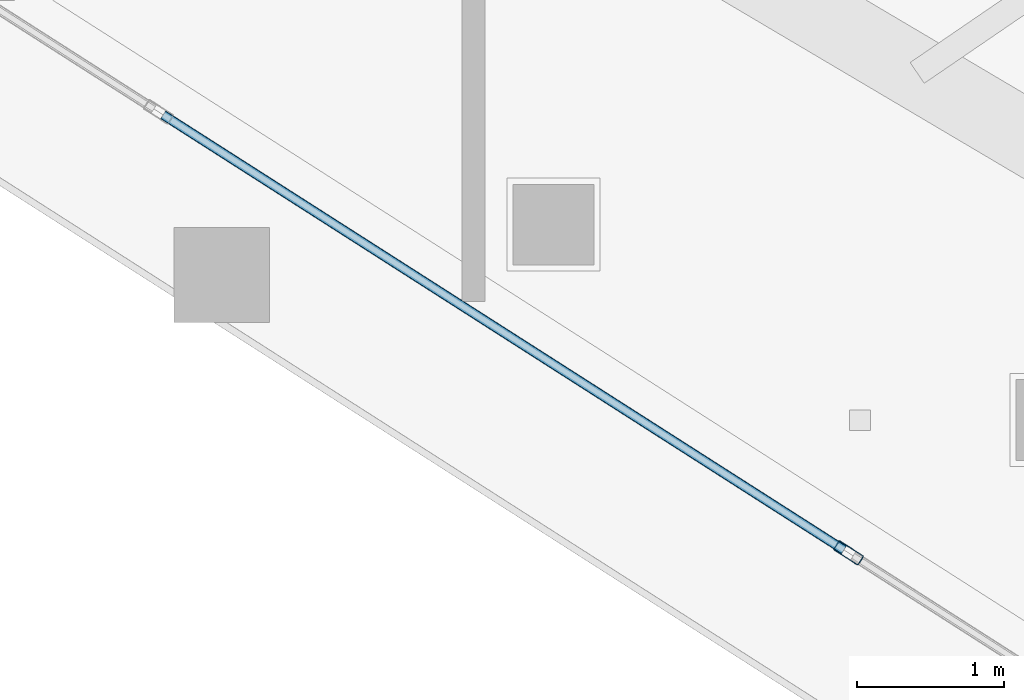
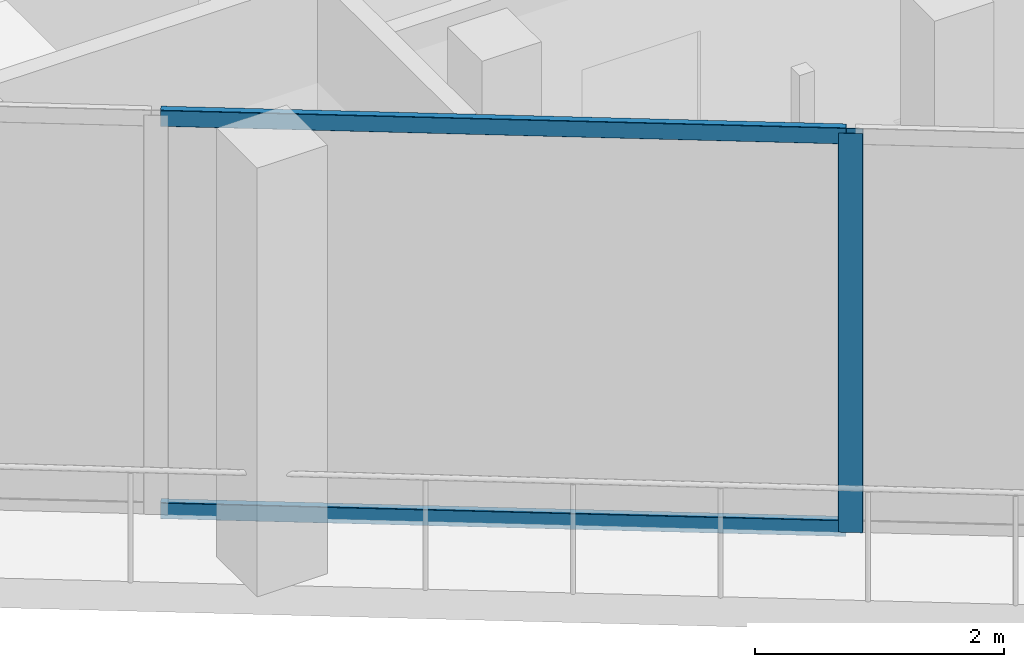
# One storey, part 4 of 36: 3 members, 1 element without a shape of its own.
"""IFC4 building model written with IfcOpenShell, lengths in metres."""

from ifc_helpers import new_model, si_unit, direction, frame, origin, origin_2d, place, context, subcontext, project, spatial, hollow_rectangle, extrude, material, layer, layer_set, material_profile, profile_set, type_object, element, aggregate, save


model = new_model("IFC4")

# Units and contexts
model_context = context("Model", 3, precision=1e-05, world=origin(), true_north=direction((0.0, 1.0)))
body_context = subcontext(model_context, "Body", "Model", "MODEL_VIEW")
ifc_project = project(units=[si_unit("LENGTHUNIT", "METRE"), si_unit("AREAUNIT", "SQUARE_METRE"), si_unit("VOLUMEUNIT", "CUBIC_METRE"), si_unit("PLANEANGLEUNIT", "RADIAN"), si_unit("MASSUNIT", "GRAM", prefix="KILO")], contexts=[model_context])

# Site, building, storey
site_placement = place(None, origin())
site = spatial("IfcSite", under=ifc_project, at=site_placement, CompositionType="ELEMENT")
building_placement = place(site_placement, origin())
building = spatial("IfcBuilding", under=site, at=building_placement, Name="Qorvath Tower", CompositionType="ELEMENT")
storey_placement = place(building_placement, frame((0.0, 0.0, 272.39990234375)))
storey = spatial("IfcBuildingStorey", under=building, at=storey_placement, Name="L63", CompositionType="ELEMENT", Elevation=272.39990234375)

# Curtain wall, members
ifc_material_1 = material(Name="Anodised aluminium and triple low-E glass", Category="aluminium")
ifc_layer = layer(ifc_material_1, 0.179931640625)
ifc_layer_set = layer_set([ifc_layer], Name="CW-SYS-4")
curtain_wall_type = type_object("IfcCurtainWallType", Name="CW-SYS-4", PredefinedType="NOTDEFINED", material=ifc_layer_set)
curtain_wall_placement = place(storey_placement, origin())
curtain_wall = element("IfcCurtainWall", 1, at=curtain_wall_placement, inside=storey, type_object=curtain_wall_type, Name="Curtain Wall CW-4 CW-T-L63-2.1", PredefinedType="NOTDEFINED")
ifc_material_2 = material(Name="Anodised aluminium 6063-T6", Category="aluminium")
ifc_material_profile_1 = material_profile(ifc_material_2, hollow_rectangle(XDim=0.074951171875, YDim=0.199951171875, WallThickness=0.00390625, InnerFilletRadius=0.00390625, OuterFilletRadius=0.008056640625, at=origin_2d()), Name="CWM 200x75")
ifc_profile_set_1 = profile_set([ifc_material_profile_1], Name="Anodised aluminium 6063-T6")
member_type_1 = type_object("IfcMemberType", Name="CWM-200", PredefinedType="MULLION", material=ifc_profile_set_1)
member_1_placement = place(storey_placement, frame((-32.093505859375, -15.029541015625, 0.0), z_axis=(0.0, 0.0, 1.0), x_axis=(0.538533509281, 0.842604094093, 0.0)))
member_1 = element("IfcMember", 2, at=member_1_placement, type_object=member_type_1, Name="CW-4 mullion 5", PredefinedType="MULLION", context=body_context, shape_type="SweptSolid", body=[
    extrude(hollow_rectangle(XDim=0.074951171875, YDim=0.199951171875, WallThickness=0.00390625, InnerFilletRadius=0.00390625, OuterFilletRadius=0.008056640625, at=origin_2d()), origin(), (0.0, 0.0, 1.0), 3.91015625),
])
ifc_material_3 = material(Name="Anodised aluminium 6063-T6", Category="aluminium")
ifc_material_profile_2 = material_profile(ifc_material_3, hollow_rectangle(XDim=0.06494140625, YDim=0.159912109375, WallThickness=0.00341796875, InnerFilletRadius=0.00341796875, OuterFilletRadius=0.007080078125, at=origin_2d()), Name="CWT 160x65")
ifc_profile_set_2 = profile_set([ifc_material_profile_2], Name="Anodised aluminium 6063-T6")
member_type_2 = type_object("IfcMemberType", Name="CWT-160", PredefinedType="USERDEFINED", material=ifc_profile_set_2)
member_2_placement = place(storey_placement, frame((-36.76513671875, -12.0439453125, 0.032470703125), z_axis=(0.842597346925, -0.538544065935, 0.0), x_axis=(0.538544065935, 0.842597346925, 0.0)))
member_2 = element("IfcMember", 3, at=member_2_placement, type_object=member_type_2, Name="CW-4 transom 4.1", ObjectType="TRANSOM", PredefinedType="USERDEFINED", context=body_context, shape_type="SweptSolid", body=[
    extrude(hollow_rectangle(XDim=0.06494140625, YDim=0.159912109375, WallThickness=0.00341796875, InnerFilletRadius=0.00341796875, OuterFilletRadius=0.007080078125, at=origin_2d()), origin(), (0.0, 0.0, 1.0), 5.506591796875),
])
member_3_placement = place(storey_placement, frame((-36.76513671875, -12.0439453125, 3.877685546875), z_axis=(0.842597346925, -0.538544065935, 0.0), x_axis=(0.538544065935, 0.842597346925, 0.0)))
member_3 = element("IfcMember", 4, at=member_3_placement, type_object=member_type_2, Name="CW-4 transom 4.2", ObjectType="TRANSOM", PredefinedType="USERDEFINED", context=body_context, shape_type="SweptSolid", body=[
    extrude(hollow_rectangle(XDim=0.06494140625, YDim=0.159912109375, WallThickness=0.00341796875, InnerFilletRadius=0.00341796875, OuterFilletRadius=0.007080078125, at=origin_2d()), origin(), (0.0, 0.0, 1.0), 5.506591796875),
])
aggregate(curtain_wall, [member_1, member_2, member_3])

save(model, "model.ifc")
